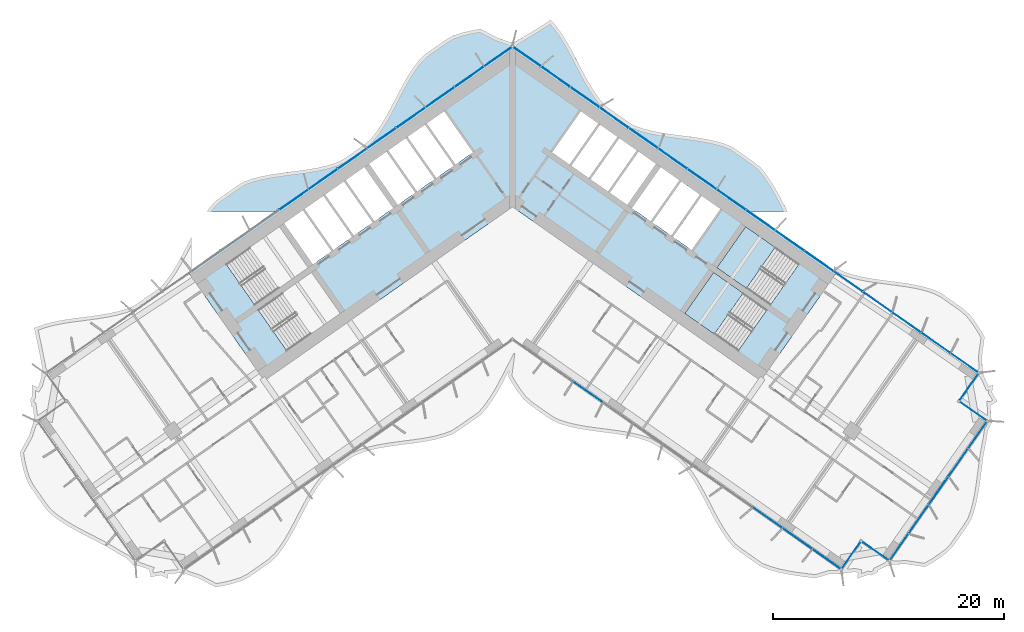
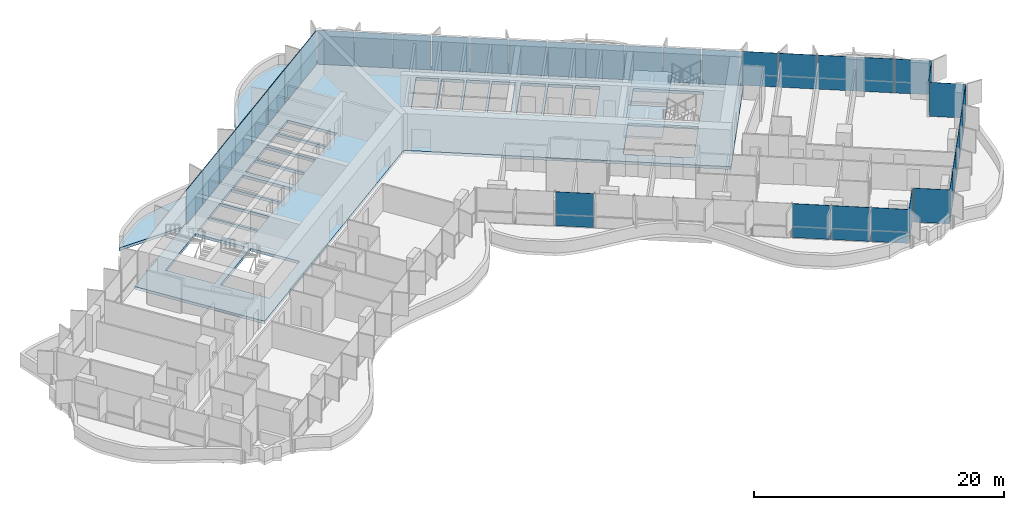
# One storey, part 11 of 23: 37 plates, 4 slabs, 4 elements without a shape of their own.
"""IFC4 building model written with IfcOpenShell, lengths in metres."""

from ifc_helpers import new_model, si_unit, direction, frame, origin, origin_2d, place, context, subcontext, project, spatial, polyline, rectangle, outline, extrude, material, layer, layer_set, type_object, element, aggregate, save


model = new_model("IFC4")

# Units and contexts
model_context = context("Model", 3, precision=1e-05, world=origin(), true_north=direction((0.0, 1.0)))
body_context = subcontext(model_context, "Body", "Model", "MODEL_VIEW")
ifc_project = project(units=[si_unit("LENGTHUNIT", "METRE"), si_unit("AREAUNIT", "SQUARE_METRE"), si_unit("VOLUMEUNIT", "CUBIC_METRE"), si_unit("PLANEANGLEUNIT", "RADIAN"), si_unit("MASSUNIT", "GRAM", prefix="KILO")], contexts=[model_context])

# Site, building, storey
site_placement = place(None, origin())
site = spatial("IfcSite", under=ifc_project, at=site_placement, CompositionType="ELEMENT")
building_placement = place(site_placement, origin())
building = spatial("IfcBuilding", under=site, at=building_placement, Name="Tel Ilan Convention Tower", CompositionType="ELEMENT")
storey_placement = place(building_placement, frame((0.0, 0.0, 101.300048828125)))
storey = spatial("IfcBuildingStorey", under=building, at=storey_placement, Name="L21", CompositionType="ELEMENT", Elevation=101.300048828125)

# Curtain wall, plates
ifc_material_1 = material(Name="Aluminium, bronze anodised", Category="aluminium")
curtain_wall_type_1 = type_object("IfcCurtainWallType", Name="CW1 UNITISED CURTAIN WALL, HOTEL TINTED GLASS", PredefinedType="NOTDEFINED", material=ifc_material_1)
curtain_wall_1_placement = place(storey_placement, origin())
curtain_wall_1 = element("IfcCurtainWall", 1, at=curtain_wall_1_placement, inside=storey, type_object=curtain_wall_type_1, Name="Curtain wall CW1-19.02", PredefinedType="NOTDEFINED")
ifc_material_2 = material(Name="Glass, bronze tinted, two-ply unitised", Category="glass")
ifc_layer_1 = layer(ifc_material_2, 0.028076171875)
ifc_layer_set_1 = layer_set([ifc_layer_1], Name="CW HOTEL GLASS PANEL 28")
plate_type_1 = type_object("IfcPlateType", Name="CW HOTEL GLASS PANEL 28", PredefinedType="CURTAIN_PANEL", material=ifc_layer_set_1)
plate_1_placement = place(storey_placement, frame((6.544921875, -17.27880859375, 0.0), z_axis=(0.0, 0.0, 1.0), x_axis=(0.819152044289, -0.573576436351, 0.0)))
plate_1 = element("IfcPlate", 2, at=plate_1_placement, type_object=plate_type_1, Name="Glass panel", PredefinedType="CURTAIN_PANEL", context=body_context, shape_type="SweptSolid", body=[
    extrude(rectangle(XDim=3.10791015625, YDim=0.028076171875, at=origin_2d()), origin(), (0.0, 0.0, 1.0), 3.320068359375),
])
plate_2_placement = place(storey_placement, frame((22.115478515625, -28.181396484375, 0.0), z_axis=(0.0, 0.0, 1.0), x_axis=(0.819152044289, -0.573576436351, 0.0)))
plate_2 = element("IfcPlate", 3, at=plate_2_placement, type_object=plate_type_1, Name="Glass panel", PredefinedType="CURTAIN_PANEL", context=body_context, shape_type="SweptSolid", body=[
    extrude(rectangle(XDim=3.10791015625, YDim=0.028076171875, at=origin_2d()), origin(), (0.0, 0.0, 1.0), 3.320068359375),
])
plate_3_placement = place(storey_placement, frame((24.71044921875, -29.99853515625, 0.0), z_axis=(0.0, 0.0, 1.0), x_axis=(0.819152044289, -0.573576436351, 0.0)))
plate_3 = element("IfcPlate", 4, at=plate_3_placement, type_object=plate_type_1, Name="Glass panel", PredefinedType="CURTAIN_PANEL", context=body_context, shape_type="SweptSolid", body=[
    extrude(rectangle(XDim=3.10791015625, YDim=0.028076171875, at=origin_2d()), origin(), (0.0, 0.0, 1.0), 3.320068359375),
])
plate_4_placement = place(storey_placement, frame((27.26708984375, -31.78857421875, 0.0), z_axis=(0.0, 0.0, 1.0), x_axis=(0.819152044289, -0.573576436351, 0.0)))
plate_4 = element("IfcPlate", 5, at=plate_4_placement, type_object=plate_type_1, Name="Glass panel", PredefinedType="CURTAIN_PANEL", context=body_context, shape_type="SweptSolid", body=[
    extrude(rectangle(XDim=3.013916015625, YDim=0.028076171875, at=origin_2d()), origin(), (0.0, 0.0, 1.0), 3.320068359375),
])
plate_5_placement = place(storey_placement, frame((29.359375, -31.469482421875, 0.0), z_axis=(0.0, 0.0, 1.0), x_axis=(0.573576436351, 0.819152044289, 0.0)))
plate_5 = element("IfcPlate", 6, at=plate_5_placement, type_object=plate_type_1, Name="Glass panel", PredefinedType="CURTAIN_PANEL", context=body_context, shape_type="SweptSolid", body=[
    extrude(rectangle(XDim=2.875, YDim=0.028076171875, at=origin_2d()), origin(), (0.0, 0.0, 1.0), 3.320068359375),
])
plate_6_placement = place(storey_placement, frame((31.502197265625, -31.091796875, 0.0), z_axis=(0.0, 0.0, 1.0), x_axis=(0.819152044289, -0.573576436351, 0.0)))
plate_6 = element("IfcPlate", 7, at=plate_6_placement, type_object=plate_type_1, Name="Glass panel", PredefinedType="CURTAIN_PANEL", context=body_context, shape_type="SweptSolid", body=[
    extrude(rectangle(XDim=2.875, YDim=0.028076171875, at=origin_2d()), origin(), (0.0, 0.0, 1.0), 3.320068359375),
])
plate_7_placement = place(storey_placement, frame((33.529296875, -30.74462890625, 0.0), z_axis=(0.0, 0.0, 1.0), x_axis=(0.573576436351, 0.819152044289, 0.0)))
plate_7 = element("IfcPlate", 8, at=plate_7_placement, type_object=plate_type_1, Name="Glass panel", PredefinedType="CURTAIN_PANEL", context=body_context, shape_type="SweptSolid", body=[
    extrude(rectangle(XDim=2.845947265625, YDim=0.028076171875, at=origin_2d()), origin(), (0.0, 0.0, 1.0), 3.320068359375),
])
plate_8_placement = place(storey_placement, frame((35.22314453125, -28.32568359375, 0.0), z_axis=(0.0, 0.0, 1.0), x_axis=(0.573576436351, 0.819152044289, 0.0)))
plate_8 = element("IfcPlate", 9, at=plate_8_placement, type_object=plate_type_1, Name="Glass panel", PredefinedType="CURTAIN_PANEL", context=body_context, shape_type="SweptSolid", body=[
    extrude(rectangle(XDim=2.93994140625, YDim=0.028076171875, at=origin_2d()), origin(), (0.0, 0.0, 1.0), 3.320068359375),
])
plate_9_placement = place(storey_placement, frame((36.94384765625, -25.868408203125, 0.0), z_axis=(0.0, 0.0, 1.0), x_axis=(0.573576436351, 0.819152044289, 0.0)))
plate_9 = element("IfcPlate", 10, at=plate_9_placement, type_object=plate_type_1, Name="Glass panel", PredefinedType="CURTAIN_PANEL", context=body_context, shape_type="SweptSolid", body=[
    extrude(rectangle(XDim=2.93994140625, YDim=0.028076171875, at=origin_2d()), origin(), (0.0, 0.0, 1.0), 3.320068359375),
])
plate_10_placement = place(storey_placement, frame((38.66455078125, -23.410888671875, 0.0), z_axis=(0.0, 0.0, 1.0), x_axis=(0.573576436351, 0.819152044289, 0.0)))
plate_10 = element("IfcPlate", 11, at=plate_10_placement, type_object=plate_type_1, Name="Glass panel", PredefinedType="CURTAIN_PANEL", context=body_context, shape_type="SweptSolid", body=[
    extrude(rectangle(XDim=2.93994140625, YDim=0.028076171875, at=origin_2d()), origin(), (0.0, 0.0, 1.0), 3.320068359375),
])
plate_11_placement = place(storey_placement, frame((40.358154296875, -20.991943359375, 0.0), z_axis=(0.0, 0.0, 1.0), x_axis=(0.573576436351, 0.819152044289, 0.0)))
plate_11 = element("IfcPlate", 12, at=plate_11_placement, type_object=plate_type_1, Name="Glass panel", PredefinedType="CURTAIN_PANEL", context=body_context, shape_type="SweptSolid", body=[
    extrude(rectangle(XDim=2.845947265625, YDim=0.028076171875, at=origin_2d()), origin(), (0.0, 0.0, 1.0), 3.320068359375),
])
plate_12_placement = place(storey_placement, frame((39.990966796875, -18.96826171875, 0.0), z_axis=(0.0, 0.0, 1.0), x_axis=(-0.819152044289, 0.573576436351, 0.0)))
plate_12 = element("IfcPlate", 13, at=plate_12_placement, type_object=plate_type_1, Name="Glass panel", PredefinedType="CURTAIN_PANEL", context=body_context, shape_type="SweptSolid", body=[
    extrude(rectangle(XDim=2.875, YDim=0.028076171875, at=origin_2d()), origin(), (0.0, 0.0, 1.0), 3.320068359375),
])
plate_13_placement = place(storey_placement, frame((39.61328125, -16.82568359375, 0.0), z_axis=(0.0, 0.0, 1.0), x_axis=(0.573576436351, 0.819152044289, 0.0)))
plate_13 = element("IfcPlate", 14, at=plate_13_placement, type_object=plate_type_1, Name="Glass panel", PredefinedType="CURTAIN_PANEL", context=body_context, shape_type="SweptSolid", body=[
    extrude(rectangle(XDim=2.875, YDim=0.028076171875, at=origin_2d()), origin(), (0.0, 0.0, 1.0), 3.320068359375),
])
plate_14_placement = place(storey_placement, frame((39.2265625, -14.7705078125, 0.0), z_axis=(0.0, 0.0, 1.0), x_axis=(-0.819152044289, 0.573576436351, 0.0)))
plate_14 = element("IfcPlate", 15, at=plate_14_placement, type_object=plate_type_1, Name="Glass panel", PredefinedType="CURTAIN_PANEL", context=body_context, shape_type="SweptSolid", body=[
    extrude(rectangle(XDim=2.943115234375, YDim=0.028076171875, at=origin_2d()), origin(), (0.0, 0.0, 1.0), 3.320068359375),
])
plate_15_placement = place(storey_placement, frame((36.72802734375, -13.021240234375, 0.0), z_axis=(0.0, 0.0, 1.0), x_axis=(-0.819152044289, 0.573576436351, 0.0)))
plate_15 = element("IfcPlate", 16, at=plate_15_placement, type_object=plate_type_1, Name="Glass panel", PredefinedType="CURTAIN_PANEL", context=body_context, shape_type="SweptSolid", body=[
    extrude(rectangle(XDim=3.037109375, YDim=0.028076171875, at=origin_2d()), origin(), (0.0, 0.0, 1.0), 3.320068359375),
])
plate_16_placement = place(storey_placement, frame((34.191162109375, -11.244873046875, 0.0), z_axis=(0.0, 0.0, 1.0), x_axis=(-0.819152044289, 0.573576436351, 0.0)))
plate_16 = element("IfcPlate", 17, at=plate_16_placement, type_object=plate_type_1, Name="Glass panel", PredefinedType="CURTAIN_PANEL", context=body_context, shape_type="SweptSolid", body=[
    extrude(rectangle(XDim=3.037109375, YDim=0.028076171875, at=origin_2d()), origin(), (0.0, 0.0, 1.0), 3.320068359375),
])
plate_17_placement = place(storey_placement, frame((31.654296875, -9.468505859375, 0.0), z_axis=(0.0, 0.0, 1.0), x_axis=(-0.819152044289, 0.573576436351, 0.0)))
plate_17 = element("IfcPlate", 18, at=plate_17_placement, type_object=plate_type_1, Name="Glass panel", PredefinedType="CURTAIN_PANEL", context=body_context, shape_type="SweptSolid", body=[
    extrude(rectangle(XDim=3.037109375, YDim=0.028076171875, at=origin_2d()), origin(), (0.0, 0.0, 1.0), 3.320068359375),
])
plate_18_placement = place(storey_placement, frame((29.1171875, -7.692138671875, 0.0), z_axis=(0.0, 0.0, 1.0), x_axis=(-0.819152044289, 0.573576436351, 0.0)))
plate_18 = element("IfcPlate", 19, at=plate_18_placement, type_object=plate_type_1, Name="Glass panel", PredefinedType="CURTAIN_PANEL", context=body_context, shape_type="SweptSolid", body=[
    extrude(rectangle(XDim=3.037109375, YDim=0.028076171875, at=origin_2d()), origin(), (0.0, 0.0, 1.0), 3.320068359375),
])
aggregate(curtain_wall_1, [plate_1, plate_2, plate_3, plate_4, plate_5, plate_6, plate_7, plate_8, plate_9, plate_10, plate_11, plate_12, plate_13, plate_14, plate_15, plate_16, plate_17, plate_18])

ifc_material_3 = material(Name="Aluminium, bronze anodised", Category="aluminium")
curtain_wall_type_2 = type_object("IfcCurtainWallType", Name="CW2 STICK CURTAIN WALL, SPANDREL PANELS", PredefinedType="NOTDEFINED", material=ifc_material_3)
curtain_wall_2_placement = place(storey_placement, origin())
curtain_wall_2 = element("IfcCurtainWall", 20, at=curtain_wall_2_placement, inside=storey, type_object=curtain_wall_type_2, Name="Curtain wall CW2-19.01", PredefinedType="NOTDEFINED")
ifc_material_4 = material(Name="Aluminium composite panel, bronze anodised", Category="aluminium")
ifc_layer_2 = layer(ifc_material_4, 0.06005859375)
ifc_layer_set_2 = layer_set([ifc_layer_2], Name="CW SPANDREL PANEL 60")
plate_type_2 = type_object("IfcPlateType", Name="CW SPANDREL PANEL 60", PredefinedType="CURTAIN_PANEL", material=ifc_layer_set_2)
plate_19_placement = place(storey_placement, frame((26.580322265625, -5.915771484375, 0.0), z_axis=(0.0, 0.0, 1.0), x_axis=(-0.819152044289, 0.573576436351, 0.0)))
plate_19 = element("IfcPlate", 21, at=plate_19_placement, type_object=plate_type_2, Name="Spandrel panel", PredefinedType="CURTAIN_PANEL", context=body_context, shape_type="SweptSolid", body=[
    extrude(rectangle(XDim=3.037109375, YDim=0.06005859375, at=origin_2d()), origin(), (0.0, 0.0, 1.0), 3.320068359375),
])
plate_20_placement = place(storey_placement, frame((24.04345703125, -4.139404296875, 0.0), z_axis=(0.0, 0.0, 1.0), x_axis=(-0.819152044289, 0.573576436351, 0.0)))
plate_20 = element("IfcPlate", 22, at=plate_20_placement, type_object=plate_type_2, Name="Spandrel panel", PredefinedType="CURTAIN_PANEL", context=body_context, shape_type="SweptSolid", body=[
    extrude(rectangle(XDim=3.037109375, YDim=0.06005859375, at=origin_2d()), origin(), (0.0, 0.0, 1.0), 3.320068359375),
])
plate_21_placement = place(storey_placement, frame((21.506591796875, -2.363037109375, 0.0), z_axis=(0.0, 0.0, 1.0), x_axis=(-0.819152044289, 0.573576436351, 0.0)))
plate_21 = element("IfcPlate", 23, at=plate_21_placement, type_object=plate_type_2, Name="Spandrel panel", PredefinedType="CURTAIN_PANEL", context=body_context, shape_type="SweptSolid", body=[
    extrude(rectangle(XDim=3.037109375, YDim=0.06005859375, at=origin_2d()), origin(), (0.0, 0.0, 1.0), 3.320068359375),
])
plate_22_placement = place(storey_placement, frame((18.969482421875, -0.586669921875, 0.0), z_axis=(0.0, 0.0, 1.0), x_axis=(-0.819152044289, 0.573576436351, 0.0)))
plate_22 = element("IfcPlate", 24, at=plate_22_placement, type_object=plate_type_2, Name="Spandrel panel", PredefinedType="CURTAIN_PANEL", context=body_context, shape_type="SweptSolid", body=[
    extrude(rectangle(XDim=3.037109375, YDim=0.06005859375, at=origin_2d()), origin(), (0.0, 0.0, 1.0), 3.320068359375),
])
plate_23_placement = place(storey_placement, frame((16.4326171875, 1.189697265625, 0.0), z_axis=(0.0, 0.0, 1.0), x_axis=(-0.819152044289, 0.573576436351, 0.0)))
plate_23 = element("IfcPlate", 25, at=plate_23_placement, type_object=plate_type_2, Name="Spandrel panel", PredefinedType="CURTAIN_PANEL", context=body_context, shape_type="SweptSolid", body=[
    extrude(rectangle(XDim=3.037109375, YDim=0.06005859375, at=origin_2d()), origin(), (0.0, 0.0, 1.0), 3.320068359375),
])
plate_24_placement = place(storey_placement, frame((13.895751953125, 2.966064453125, 0.0), z_axis=(0.0, 0.0, 1.0), x_axis=(-0.819152044289, 0.573576436351, 0.0)))
plate_24 = element("IfcPlate", 26, at=plate_24_placement, type_object=plate_type_2, Name="Spandrel panel", PredefinedType="CURTAIN_PANEL", context=body_context, shape_type="SweptSolid", body=[
    extrude(rectangle(XDim=3.037109375, YDim=0.06005859375, at=origin_2d()), origin(), (0.0, 0.0, 1.0), 3.320068359375),
])
plate_25_placement = place(storey_placement, frame((11.35888671875, 4.742431640625, 0.0), z_axis=(0.0, 0.0, 1.0), x_axis=(-0.819152044289, 0.573576436351, 0.0)))
plate_25 = element("IfcPlate", 27, at=plate_25_placement, type_object=plate_type_2, Name="Spandrel panel", PredefinedType="CURTAIN_PANEL", context=body_context, shape_type="SweptSolid", body=[
    extrude(rectangle(XDim=3.037109375, YDim=0.06005859375, at=origin_2d()), origin(), (0.0, 0.0, 1.0), 3.320068359375),
])
plate_26_placement = place(storey_placement, frame((8.82177734375, 6.518798828125, 0.0), z_axis=(0.0, 0.0, 1.0), x_axis=(-0.819152044289, 0.573576436351, 0.0)))
plate_26 = element("IfcPlate", 28, at=plate_26_placement, type_object=plate_type_2, Name="Spandrel panel", PredefinedType="CURTAIN_PANEL", context=body_context, shape_type="SweptSolid", body=[
    extrude(rectangle(XDim=3.037109375, YDim=0.06005859375, at=origin_2d()), origin(), (0.0, 0.0, 1.0), 3.320068359375),
])
plate_27_placement = place(storey_placement, frame((6.284912109375, 8.295166015625, 0.0), z_axis=(0.0, 0.0, 1.0), x_axis=(-0.819152044289, 0.573576436351, 0.0)))
plate_27 = element("IfcPlate", 29, at=plate_27_placement, type_object=plate_type_2, Name="Spandrel panel", PredefinedType="CURTAIN_PANEL", context=body_context, shape_type="SweptSolid", body=[
    extrude(rectangle(XDim=3.037109375, YDim=0.06005859375, at=origin_2d()), origin(), (0.0, 0.0, 1.0), 3.320068359375),
])
plate_28_placement = place(storey_placement, frame((3.748046875, 10.07177734375, 0.0), z_axis=(0.0, 0.0, 1.0), x_axis=(-0.819152044289, 0.573576436351, 0.0)))
plate_28 = element("IfcPlate", 30, at=plate_28_placement, type_object=plate_type_2, Name="Spandrel panel", PredefinedType="CURTAIN_PANEL", context=body_context, shape_type="SweptSolid", body=[
    extrude(rectangle(XDim=3.037109375, YDim=0.06005859375, at=origin_2d()), origin(), (0.0, 0.0, 1.0), 3.320068359375),
])
plate_29_placement = place(storey_placement, frame((1.256103515625, 11.81640625, 0.0), z_axis=(0.0, 0.0, 1.0), x_axis=(-0.819152044289, 0.573576436351, 0.0)))
plate_29 = element("IfcPlate", 31, at=plate_29_placement, type_object=plate_type_2, Name="Spandrel panel", PredefinedType="CURTAIN_PANEL", context=body_context, shape_type="SweptSolid", body=[
    extrude(rectangle(XDim=2.927001953125, YDim=0.06005859375, at=origin_2d()), origin(), (0.0, 0.0, 1.0), 3.320068359375),
])
plate_30_placement = place(storey_placement, frame((-1.256103515625, 11.81640625, 0.0), z_axis=(0.0, 0.0, 1.0), x_axis=(-0.819152044289, -0.573576436351, 0.0)))
plate_30 = element("IfcPlate", 32, at=plate_30_placement, type_object=plate_type_2, Name="Spandrel panel", PredefinedType="CURTAIN_PANEL", context=body_context, shape_type="SweptSolid", body=[
    extrude(rectangle(XDim=2.927001953125, YDim=0.06005859375, at=origin_2d()), origin(), (0.0, 0.0, 1.0), 3.320068359375),
])
plate_31_placement = place(storey_placement, frame((-3.748046875, 10.07177734375, 0.0), z_axis=(0.0, 0.0, 1.0), x_axis=(-0.819152044289, -0.573576436351, 0.0)))
plate_31 = element("IfcPlate", 33, at=plate_31_placement, type_object=plate_type_2, Name="Spandrel panel", PredefinedType="CURTAIN_PANEL", context=body_context, shape_type="SweptSolid", body=[
    extrude(rectangle(XDim=3.037109375, YDim=0.06005859375, at=origin_2d()), origin(), (0.0, 0.0, 1.0), 3.320068359375),
])
plate_32_placement = place(storey_placement, frame((-6.284912109375, 8.295166015625, 0.0), z_axis=(0.0, 0.0, 1.0), x_axis=(-0.819152044289, -0.573576436351, 0.0)))
plate_32 = element("IfcPlate", 34, at=plate_32_placement, type_object=plate_type_2, Name="Spandrel panel", PredefinedType="CURTAIN_PANEL", context=body_context, shape_type="SweptSolid", body=[
    extrude(rectangle(XDim=3.037109375, YDim=0.06005859375, at=origin_2d()), origin(), (0.0, 0.0, 1.0), 3.320068359375),
])
plate_33_placement = place(storey_placement, frame((-8.82177734375, 6.518798828125, 0.0), z_axis=(0.0, 0.0, 1.0), x_axis=(-0.819152044289, -0.573576436351, 0.0)))
plate_33 = element("IfcPlate", 35, at=plate_33_placement, type_object=plate_type_2, Name="Spandrel panel", PredefinedType="CURTAIN_PANEL", context=body_context, shape_type="SweptSolid", body=[
    extrude(rectangle(XDim=3.037109375, YDim=0.06005859375, at=origin_2d()), origin(), (0.0, 0.0, 1.0), 3.320068359375),
])
plate_34_placement = place(storey_placement, frame((-11.35888671875, 4.742431640625, 0.0), z_axis=(0.0, 0.0, 1.0), x_axis=(-0.819152044289, -0.573576436351, 0.0)))
plate_34 = element("IfcPlate", 36, at=plate_34_placement, type_object=plate_type_2, Name="Spandrel panel", PredefinedType="CURTAIN_PANEL", context=body_context, shape_type="SweptSolid", body=[
    extrude(rectangle(XDim=3.037109375, YDim=0.06005859375, at=origin_2d()), origin(), (0.0, 0.0, 1.0), 3.320068359375),
])
plate_35_placement = place(storey_placement, frame((-13.895751953125, 2.966064453125, 0.0), z_axis=(0.0, 0.0, 1.0), x_axis=(-0.819152044289, -0.573576436351, 0.0)))
plate_35 = element("IfcPlate", 37, at=plate_35_placement, type_object=plate_type_2, Name="Spandrel panel", PredefinedType="CURTAIN_PANEL", context=body_context, shape_type="SweptSolid", body=[
    extrude(rectangle(XDim=3.037109375, YDim=0.06005859375, at=origin_2d()), origin(), (0.0, 0.0, 1.0), 3.320068359375),
])
plate_36_placement = place(storey_placement, frame((-16.4326171875, 1.189697265625, 0.0), z_axis=(0.0, 0.0, 1.0), x_axis=(-0.819152044289, -0.573576436351, 0.0)))
plate_36 = element("IfcPlate", 38, at=plate_36_placement, type_object=plate_type_2, Name="Spandrel panel", PredefinedType="CURTAIN_PANEL", context=body_context, shape_type="SweptSolid", body=[
    extrude(rectangle(XDim=3.037109375, YDim=0.06005859375, at=origin_2d()), origin(), (0.0, 0.0, 1.0), 3.320068359375),
])
plate_37_placement = place(storey_placement, frame((-18.969482421875, -0.586669921875, 0.0), z_axis=(0.0, 0.0, 1.0), x_axis=(-0.819152044289, -0.573576436351, 0.0)))
plate_37 = element("IfcPlate", 39, at=plate_37_placement, type_object=plate_type_2, Name="Spandrel panel", PredefinedType="CURTAIN_PANEL", context=body_context, shape_type="SweptSolid", body=[
    extrude(rectangle(XDim=3.037109375, YDim=0.06005859375, at=origin_2d()), origin(), (0.0, 0.0, 1.0), 3.320068359375),
])
aggregate(curtain_wall_2, [plate_19, plate_20, plate_21, plate_22, plate_23, plate_24, plate_25, plate_26, plate_27, plate_28, plate_29, plate_30, plate_31, plate_32, plate_33, plate_34, plate_35, plate_36, plate_37])

# Stair, slab
ifc_material_5 = material(Name="Concrete C40/50", Category="concrete")
stair_type = type_object("IfcStairType", Name="Pressurised Exit Stair 20 risers 180 mm", PredefinedType="HALF_TURN_STAIR", material=ifc_material_5)
stair_1_placement = place(storey_placement, origin())
stair_1 = element("IfcStair", 40, at=stair_1_placement, inside=storey, type_object=stair_type, Name="L21 Pressurised Stair S3", PredefinedType="HALF_TURN_STAIR")
ifc_material_6 = material(Name="Concrete C40/50", Category="concrete")
ifc_layer_3 = layer(ifc_material_6, 0.199951171875)
ifc_layer_set_3 = layer_set([ifc_layer_3], Name="Concrete Stair Landing 200 mm C40/50")
slab_type_1 = type_object("IfcSlabType", Name="Concrete Stair Landing 200 mm", PredefinedType="LANDING", material=ifc_layer_set_3)
slab_1_placement = place(storey_placement, frame((0.0, 0.0, 1.599853515625)))
slab_1 = element("IfcSlab", 41, at=slab_1_placement, type_object=slab_type_1, Name="S3 landing 1", PredefinedType="LANDING", context=body_context, shape_type="SweptSolid", body=[
    extrude(outline(polyline([(22.791015625, -4.727294921875), (20.226318359375, -2.931640625), (17.7314453125, -6.494873046875), (20.2958984375, -8.29052734375), (22.791015625, -4.727294921875)])), origin(), (0.0, 0.0, 1.0), 0.2001953125),
])
aggregate(stair_1, [slab_1])

stair_2_placement = place(storey_placement, origin())
stair_2 = element("IfcStair", 42, at=stair_2_placement, inside=storey, type_object=stair_type, Name="L21 Pressurised Stair S4", PredefinedType="HALF_TURN_STAIR")
slab_2_placement = place(storey_placement, frame((0.0, 0.0, 1.599853515625)))
slab_2 = element("IfcSlab", 43, at=slab_2_placement, type_object=slab_type_1, Name="S4 landing 1", PredefinedType="LANDING", context=body_context, shape_type="SweptSolid", body=[
    extrude(outline(polyline([(20.00927734375, -8.7001953125), (17.444580078125, -6.904541015625), (14.949462890625, -10.4677734375), (17.51416015625, -12.263427734375), (20.00927734375, -8.7001953125)])), origin(), (0.0, 0.0, 1.0), 0.2001953125),
])
aggregate(stair_2, [slab_2])

# Slabs
ifc_material_7 = material(Name="Concrete C40/50", Category="concrete")
ifc_layer_4 = layer(ifc_material_7, 0.280029296875)
ifc_layer_set_4 = layer_set([ifc_layer_4], Name="Core Floor Slab 280 mm C40/50")
slab_type_2 = type_object("IfcSlabType", Name="Core Floor Slab 280 mm C40/50", PredefinedType="FLOOR", material=ifc_layer_set_4)
slab_3_placement = place(storey_placement, frame((0.0, 0.0, -0.280029296875)))
element("IfcSlab", 44, at=slab_3_placement, inside=storey, type_object=slab_type_2, Name="L21 core floor 1", PredefinedType="FLOOR", context=body_context, shape_type="SweptSolid", body=[
    extrude(outline(polyline([(-28.1396484375, -6.885498046875), (0.0, 12.818115234375), (28.1396484375, -6.885498046875), (21.54345703125, -16.3056640625), (0.0, -1.220703125), (-21.54345703125, -16.3056640625), (-28.1396484375, -6.885498046875)]), holes=[polyline([(-14.949462890625, -10.4677734375), (-17.444580078125, -6.904541015625), (-22.072021484375, -10.144775390625), (-19.5771484375, -13.7080078125), (-14.949462890625, -10.4677734375)]), polyline([(-17.7314453125, -6.494873046875), (-20.226318359375, -2.931640625), (-24.85400390625, -6.171875), (-22.35888671875, -9.735107421875), (-17.7314453125, -6.494873046875)]), polyline([(-18.198974609375, -1.511962890625), (-19.81689453125, -2.644775390625), (-17.32177734375, -6.2080078125), (-15.7041015625, -5.0751953125), (-18.198974609375, -1.511962890625)]), polyline([(-16.41748046875, -0.264404296875), (-18.03515625, -1.397216796875), (-15.5400390625, -4.960693359375), (-13.92236328125, -3.827880859375), (-16.41748046875, -0.264404296875)]), polyline([(-14.6357421875, 0.983154296875), (-16.25341796875, -0.149658203125), (-13.758544921875, -3.712890625), (-12.140625, -2.580078125), (-14.6357421875, 0.983154296875)]), polyline([(-12.85400390625, 2.230712890625), (-14.471923828125, 1.097900390625), (-11.976806640625, -2.465576171875), (-10.35888671875, -1.332763671875), (-12.85400390625, 2.230712890625)]), polyline([(-10.939208984375, 3.5712890625), (-12.444580078125, 2.517333984375), (-9.949462890625, -1.0458984375), (-8.444091796875, 0.008056640625), (-10.939208984375, 3.5712890625)]), polyline([(-6.775146484375, 1.1767578125), (-9.270263671875, 4.739990234375), (-10.775390625, 3.68603515625), (-8.280517578125, 0.122802734375), (-6.775146484375, 1.1767578125)]), polyline([(-5.106201171875, 2.345458984375), (-7.601318359375, 5.90869140625), (-9.1064453125, 4.854736328125), (-6.611328125, 1.29150390625), (-5.106201171875, 2.345458984375)]), polyline([(-5.93212890625, 7.077392578125), (-7.4375, 6.0234375), (-4.9423828125, 2.460205078125), (-3.437255859375, 3.513916015625), (-5.93212890625, 7.077392578125)]), polyline([(17.444580078125, -6.904541015625), (14.949462890625, -10.4677734375), (19.5771484375, -13.7080078125), (22.072021484375, -10.144775390625), (17.444580078125, -6.904541015625)]), polyline([(20.226318359375, -2.931640625), (17.7314453125, -6.494873046875), (22.35888671875, -9.735107421875), (24.85400390625, -6.171875), (20.226318359375, -2.931640625)]), polyline([(13.92236328125, -3.827880859375), (15.5400390625, -4.960693359375), (18.03515625, -1.397216796875), (16.41748046875, -0.264404296875), (13.92236328125, -3.827880859375)]), polyline([(12.140625, -2.580078125), (13.758544921875, -3.712890625), (16.25341796875, -0.149658203125), (14.6357421875, 0.983154296875), (12.140625, -2.580078125)]), polyline([(11.976806640625, -2.465576171875), (14.471923828125, 1.097900390625), (12.85400390625, 2.230712890625), (10.35888671875, -1.332763671875), (11.976806640625, -2.465576171875)]), polyline([(9.949462890625, -1.0458984375), (12.444580078125, 2.517333984375), (10.939208984375, 3.5712890625), (8.444091796875, 0.008056640625), (9.949462890625, -1.0458984375)]), polyline([(8.280517578125, 0.122802734375), (10.775390625, 3.68603515625), (9.270263671875, 4.739990234375), (6.775146484375, 1.1767578125), (8.280517578125, 0.122802734375)]), polyline([(5.106201171875, 2.345458984375), (6.611328125, 1.29150390625), (9.1064453125, 4.854736328125), (7.601318359375, 5.90869140625), (5.106201171875, 2.345458984375)]), polyline([(3.437255859375, 3.513916015625), (4.9423828125, 2.460205078125), (7.4375, 6.0234375), (5.93212890625, 7.077392578125), (3.437255859375, 3.513916015625)])]), origin(), (0.0, 0.0, 1.0), 0.280029296875),
])
ifc_material_8 = material(Name="Concrete C40/50", Category="concrete")
ifc_layer_5 = layer(ifc_material_8, 0.280029296875)
ifc_layer_set_5 = layer_set([ifc_layer_5], Name="Edge Ledge Slab 280 mm C40/50")
slab_type_3 = type_object("IfcSlabType", Name="Edge Ledge Slab 280 mm C40/50", PredefinedType="FLOOR", material=ifc_layer_set_5)
slab_4_placement = place(storey_placement, frame((0.0, 0.0, -0.280029296875)))
element("IfcSlab", 45, at=slab_4_placement, inside=storey, type_object=slab_type_3, Name="L21 edge ledge 2", PredefinedType="FLOOR", context=body_context, shape_type="SweptSolid", body=[
    extrude(outline(polyline([(-23.301513671875, 0.96630859375), (-22.57568359375, 1.218994140625), (-21.812744140625, 1.4189453125), (-21.02001953125, 1.576171875), (-20.205810546875, 1.70263671875), (-19.37890625, 1.811279296875), (-18.5498046875, 1.91650390625), (-17.727783203125, 2.0322265625), (-16.923095703125, 2.172119140625), (-16.14404296875, 2.34912109375), (-15.398681640625, 2.573974609375), (-14.7119140625, 2.8828125), (-12.89453125, 4.155517578125), (-12.326416015625, 4.6337890625), (-11.845703125, 5.236572265625), (-11.401123046875, 5.89111328125), (-10.985595703125, 6.5869140625), (-10.59033203125, 7.311767578125), (-10.206298828125, 8.052734375), (-9.823486328125, 8.79541015625), (-9.431884765625, 9.52587890625), (-9.022216796875, 10.230224609375), (-8.585693359375, 10.896240234375), (-8.11474609375, 11.512939453125), (-7.57470703125, 12.031005859375), (-5.757080078125, 13.3037109375), (-5.10009765625, 13.654541015625), (-4.364013671875, 13.89306640625), (-3.593017578125, 14.0810546875), (-2.793212890625, 14.228271484375), (-1.3642578125, 13.47705078125), (-0.172119140625, 13.06396484375), (-0.168701171875, 13.05908203125), (-0.11474609375, 13.09521484375), (0.0, 13.1181640625), (0.11474609375, 13.09521484375), (0.168701171875, 13.05908203125), (0.172119140625, 13.06396484375), (1.732666015625, 14.003173828125), (3.331787109375, 14.997802734375), (3.8291015625, 14.418212890625), (4.28662109375, 13.7822265625), (4.71240234375, 13.100830078125), (5.1142578125, 12.385498046875), (5.50146484375, 11.64892578125), (5.883544921875, 10.9052734375), (6.2705078125, 10.168701171875), (6.672119140625, 9.452880859375), (7.09765625, 8.770751953125), (7.5546875, 8.134033203125), (8.050048828125, 7.55224609375), (8.65380859375, 7.125), (9.865478515625, 6.276611328125), (10.483642578125, 5.8701171875), (11.20458984375, 5.610107421875), (11.963134765625, 5.404052734375), (12.75244140625, 5.241943359375), (13.564697265625, 5.1123046875), (14.390380859375, 5.002197265625), (15.2197265625, 4.8974609375), (16.043212890625, 4.78369140625), (16.8505859375, 4.647705078125), (17.63330078125, 4.47607421875), (18.38330078125, 4.2578125), (19.08544921875, 3.97119140625), (20.903076171875, 2.698486328125), (21.484130859375, 2.239013671875), (21.9697265625, 1.643310546875), (22.418701171875, 0.99462890625), (22.83740234375, 0.3037109375), (23.23486328125, -0.41845703125), (23.619873046875, -1.158203125), (23.86328125, -1.631591796875), (20.63623046875, -1.631591796875), (0.0, 12.818115234375), (-20.63623046875, -1.631591796875), (-26.53369140625, -1.631591796875), (-26.25927734375, -1.2568359375), (-25.749755859375, -0.695068359375), (-23.93212890625, 0.577392578125), (-23.301513671875, 0.96630859375)])), origin(), (0.0, 0.0, 1.0), 0.280029296875),
])

save(model, "model.ifc")
